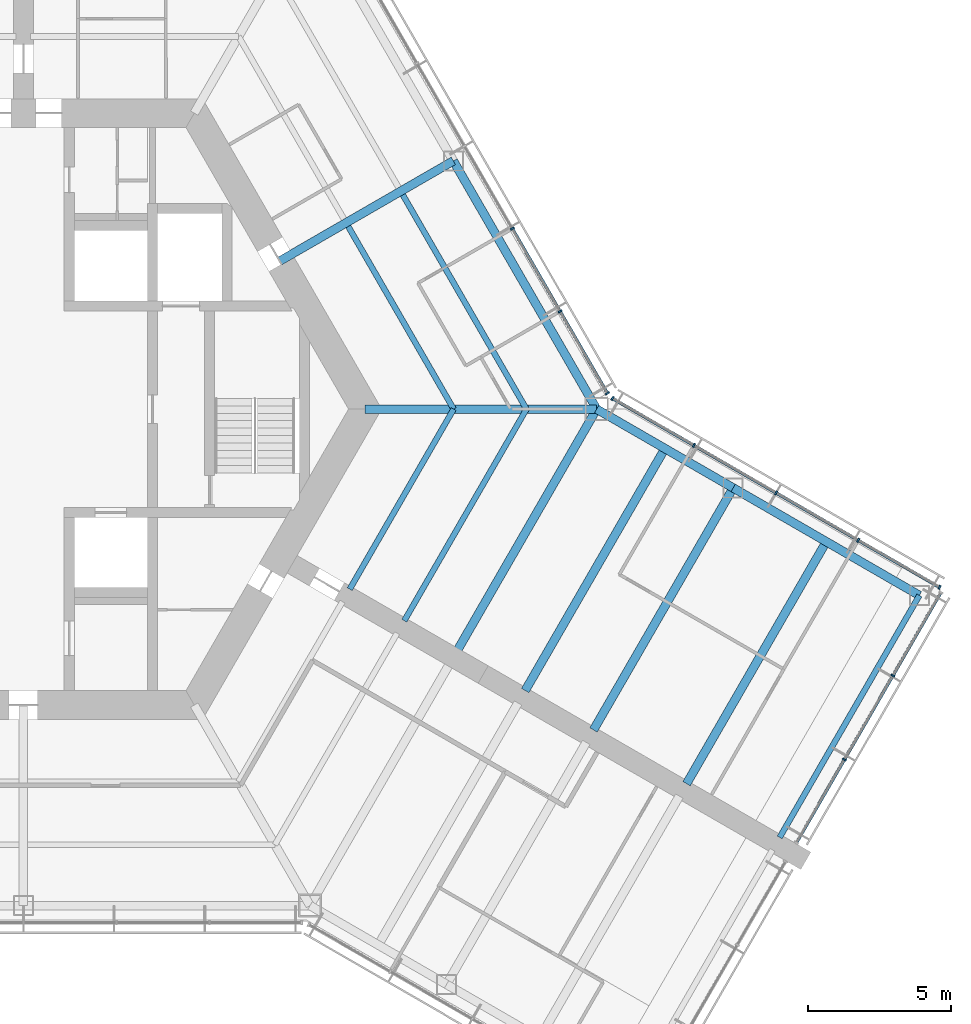
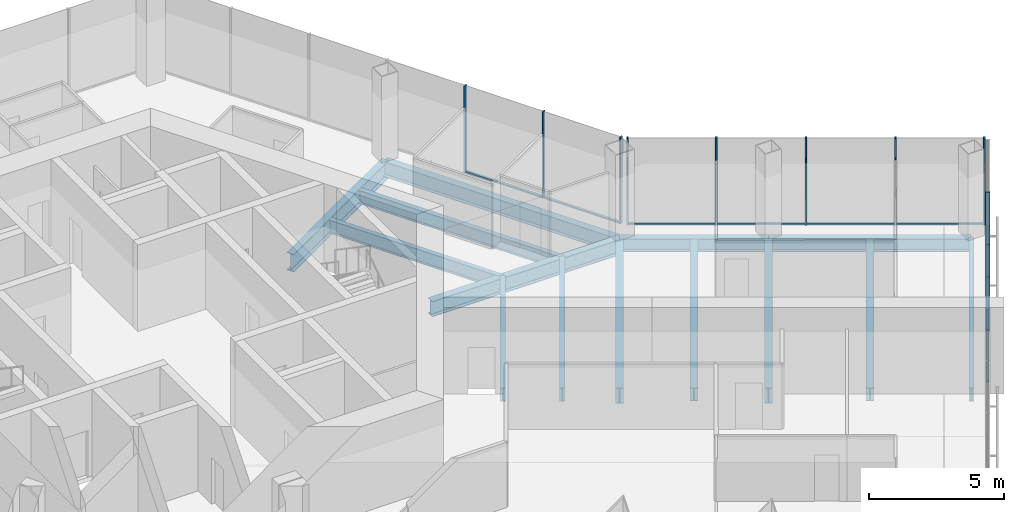
# One storey, part 6 of 18: 19 members, 14 beams, 3 elements without a shape of their own.
"""IFC4 building model written with IfcOpenShell, lengths in metres."""

from ifc_helpers import new_model, si_unit, direction, frame, origin, origin_2d, place, context, subcontext, project, spatial, rectangle, i_section, extrude, material, material_profile, profile_set, type_object, element, aggregate, save


model = new_model("IFC4")

# Units and contexts
model_context = context("Model", 3, precision=1e-05, world=origin(), true_north=direction((0.0, 1.0)))
body_context = subcontext(model_context, "Body", "Model", "MODEL_VIEW")
ifc_project = project(units=[si_unit("LENGTHUNIT", "METRE"), si_unit("AREAUNIT", "SQUARE_METRE"), si_unit("VOLUMEUNIT", "CUBIC_METRE"), si_unit("PLANEANGLEUNIT", "RADIAN"), si_unit("MASSUNIT", "GRAM", prefix="KILO")], contexts=[model_context])

# Site, building, storey
site_placement = place(None, origin())
site = spatial("IfcSite", under=ifc_project, at=site_placement, CompositionType="ELEMENT")
building_placement = place(site_placement, origin())
building = spatial("IfcBuilding", under=site, at=building_placement, Name="Kasaneha Research Tower", CompositionType="ELEMENT")
storey_placement = place(building_placement, frame((0.0, 0.0, 195.5)))
storey = spatial("IfcBuildingStorey", under=building, at=storey_placement, Name="L49", CompositionType="ELEMENT", Elevation=195.5)

# Beams
ifc_material_1 = material(Name="Steel SN490B", Category="steel")
ifc_material_profile_1 = material_profile(ifc_material_1, i_section(OverallWidth=0.199951171875, OverallDepth=0.60009765625, WebThickness=0.010986328125, FlangeThickness=0.01708984375, FilletRadius=0.012939453125, at=origin_2d()), Name="H-600x200x11x17")
ifc_profile_set_1 = profile_set([ifc_material_profile_1], Name="Steel SN490B")
beam_type_1 = type_object("IfcBeamType", Name="B1-3 secondary beam H-600x200x11x17", PredefinedType="JOIST", material=ifc_profile_set_1)
beam_1_placement = place(storey_placement, frame((15.010986328125, 0.0, -0.449951171875), z_axis=(-0.499994443168, 0.866028611999, 0.0), x_axis=(-0.866028611999, -0.499994443168, 0.0)))
element("IfcBeam", 1, at=beam_1_placement, inside=storey, type_object=beam_type_1, Name="Secondary beam RS030L1 L49", PredefinedType="JOIST", context=body_context, shape_type="SweptSolid", body=[
    extrude(i_section(OverallWidth=0.199951171875, OverallDepth=0.60009765625, WebThickness=0.010986328125, FlangeThickness=0.01708984375, FilletRadius=0.012939453125, at=origin_2d()), origin(), (0.0, 0.0, 1.0), 7.35546875),
])
beam_2_placement = place(storey_placement, frame((17.551513671875, 0.0, -0.449951171875), z_axis=(-0.5000050195, 0.866022505755, 0.0), x_axis=(-0.866022505755, -0.5000050195, 0.0)))
element("IfcBeam", 2, at=beam_2_placement, inside=storey, type_object=beam_type_1, Name="Secondary beam RS030L2 L49", PredefinedType="JOIST", context=body_context, shape_type="SweptSolid", body=[
    extrude(i_section(OverallWidth=0.199951171875, OverallDepth=0.60009765625, WebThickness=0.010986328125, FlangeThickness=0.01708984375, FilletRadius=0.012939453125, at=origin_2d()), origin(), (0.0, 0.0, 1.0), 8.6259765625),
])
beam_3_placement = place(storey_placement, frame((15.010986328125, 0.0, -0.449951171875), z_axis=(-0.499993340521, -0.866029248602, 0.0), x_axis=(0.866029248602, -0.499993340521, 0.0)))
element("IfcBeam", 3, at=beam_3_placement, inside=storey, type_object=beam_type_1, Name="Secondary beam RS330R1 L49", PredefinedType="JOIST", context=body_context, shape_type="SweptSolid", body=[
    extrude(i_section(OverallWidth=0.199951171875, OverallDepth=0.60009765625, WebThickness=0.010986328125, FlangeThickness=0.01708984375, FilletRadius=0.012939453125, at=origin_2d()), origin(), (0.0, 0.0, 1.0), 7.25537109375),
])
beam_4_placement = place(storey_placement, frame((17.551513671875, 0.0, -0.449951171875), z_axis=(-0.500004205306, -0.866022975836, 0.0), x_axis=(0.866022975836, -0.500004205306, 0.0)))
element("IfcBeam", 4, at=beam_4_placement, inside=storey, type_object=beam_type_1, Name="Secondary beam RS330R2 L49", PredefinedType="JOIST", context=body_context, shape_type="SweptSolid", body=[
    extrude(i_section(OverallWidth=0.199951171875, OverallDepth=0.60009765625, WebThickness=0.010986328125, FlangeThickness=0.01708984375, FilletRadius=0.012939453125, at=origin_2d()), origin(), (0.0, 0.0, 1.0), 8.52587890625),
])
ifc_material_2 = material(Name="Steel SN490B", Category="steel")
ifc_material_profile_2 = material_profile(ifc_material_2, i_section(OverallWidth=0.300048828125, OverallDepth=0.58203125, WebThickness=0.011962890625, FlangeThickness=0.01708984375, FilletRadius=0.012939453125, at=origin_2d()), Name="H-582x300x12x17")
ifc_profile_set_2 = profile_set([ifc_material_profile_2], Name="Steel SN490B")
beam_type_2 = type_object("IfcBeamType", Name="B2-3 secondary beam H-582x300x12x17", PredefinedType="JOIST", material=ifc_profile_set_2)
for number, where, z_axis, x_axis, name in (
    (5, (22.381591796875, -1.375, -0.44091796875), (-0.499995560238, -0.866027967067, 0.0), (0.866027967067, -0.499995560238, 0.0), "Secondary beam WBCN1 L49"),
    (6, (28.0107421875, -4.625, -0.44091796875), (-0.499995560238, -0.866027967067, 0.0), (0.866027967067, -0.499995560238, 0.0), "Secondary beam WBCN2 L49"),
):
    element("IfcBeam", number, at=place(storey_placement, frame(where, z_axis=z_axis, x_axis=x_axis)), inside=storey, type_object=beam_type_2, Name=name, PredefinedType="JOIST", context=body_context, shape_type="SweptSolid", body=[
        extrude(i_section(OverallWidth=0.300048828125, OverallDepth=0.58203125, WebThickness=0.011962890625, FlangeThickness=0.01708984375, FilletRadius=0.012939453125, at=origin_2d()), origin(), (0.0, 0.0, 1.0), 9.75),
    ])

# Curtain wall, members
ifc_material_3 = material(Name="Glass and aluminium", Category="aluminium")
curtain_wall_type = type_object("IfcCurtainWallType", Name="Mid-rise office curtain wall", PredefinedType="USERDEFINED", material=ifc_material_3)
curtain_wall_1_placement = place(storey_placement, origin())
curtain_wall_1 = element("IfcCurtainWall", 7, at=curtain_wall_1_placement, inside=storey, type_object=curtain_wall_type, Name="CW-O2 L49 run 04a", ObjectType="UNITISED CURTAIN WALL", PredefinedType="USERDEFINED")
ifc_material_4 = material(Name="Aluminium 6063-T6", Category="aluminium")
ifc_material_profile_3 = material_profile(ifc_material_4, rectangle(XDim=0.06005859375, YDim=0.14990234375, at=origin_2d()), Name="CW-O2 mullion 60x150")
ifc_profile_set_3 = profile_set([ifc_material_profile_3], Name="Aluminium 6063-T6")
member_type_1 = type_object("IfcMemberType", Name="CW-O2 mullion", PredefinedType="MULLION", material=ifc_profile_set_3)
member_1_placement = place(storey_placement, frame((28.64453125, -12.22705078125, 0.0), z_axis=(0.0, 0.0, 1.0), x_axis=(0.500000011442, 0.866025397178, 0.0)))
member_1 = element("IfcMember", 8, at=member_1_placement, type_object=member_type_1, Name="CW-O2 mullion 2", PredefinedType="MULLION", context=body_context, shape_type="SweptSolid", body=[
    extrude(rectangle(XDim=0.06005859375, YDim=0.14990234375, at=origin_2d()), origin(), (0.0, 0.0, 1.0), 3.89990234375),
])
member_2_placement = place(storey_placement, frame((30.336181640625, -9.297119140625, 0.0), z_axis=(0.0, 0.0, 1.0), x_axis=(0.500000011442, 0.866025397178, 0.0)))
member_2 = element("IfcMember", 9, at=member_2_placement, type_object=member_type_1, Name="CW-O2 mullion 3", PredefinedType="MULLION", context=body_context, shape_type="SweptSolid", body=[
    extrude(rectangle(XDim=0.06005859375, YDim=0.14990234375, at=origin_2d()), origin(), (0.0, 0.0, 1.0), 3.89990234375),
])

curtain_wall_2_placement = place(storey_placement, origin())
curtain_wall_2 = element("IfcCurtainWall", 10, at=curtain_wall_2_placement, inside=storey, type_object=curtain_wall_type, Name="CW-O2 L49 run 05a", ObjectType="UNITISED CURTAIN WALL", PredefinedType="USERDEFINED")
member_3_placement = place(storey_placement, frame((31.96533203125, -6.21533203125, 0.0), z_axis=(0.0, 0.0, 1.0), x_axis=(-0.866025411464, 0.499999986699, 0.0)))
member_3 = element("IfcMember", 11, at=member_3_placement, type_object=member_type_1, Name="CW-O2 mullion 1", PredefinedType="MULLION", context=body_context, shape_type="SweptSolid", body=[
    extrude(rectangle(XDim=0.06005859375, YDim=0.14990234375, at=origin_2d()), origin(), (0.0, 0.0, 1.0), 3.89990234375),
])
member_4_placement = place(storey_placement, frame((29.125, -4.575439453125, 0.0), z_axis=(0.0, 0.0, 1.0), x_axis=(-0.866025411464, 0.499999986699, 0.0)))
member_4 = element("IfcMember", 12, at=member_4_placement, type_object=member_type_1, Name="CW-O2 mullion 2", PredefinedType="MULLION", context=body_context, shape_type="SweptSolid", body=[
    extrude(rectangle(XDim=0.06005859375, YDim=0.14990234375, at=origin_2d()), origin(), (0.0, 0.0, 1.0), 3.89990234375),
])
member_5_placement = place(storey_placement, frame((26.258544921875, -2.920654296875, 0.0), z_axis=(0.0, 0.0, 1.0), x_axis=(-0.866025411464, 0.499999986699, 0.0)))
member_5 = element("IfcMember", 13, at=member_5_placement, type_object=member_type_1, Name="CW-O2 mullion 3", PredefinedType="MULLION", context=body_context, shape_type="SweptSolid", body=[
    extrude(rectangle(XDim=0.06005859375, YDim=0.14990234375, at=origin_2d()), origin(), (0.0, 0.0, 1.0), 3.89990234375),
])
member_6_placement = place(storey_placement, frame((23.39208984375, -1.265625, 0.0), z_axis=(0.0, 0.0, 1.0), x_axis=(-0.866025411464, 0.499999986699, 0.0)))
member_6 = element("IfcMember", 14, at=member_6_placement, type_object=member_type_1, Name="CW-O2 mullion 4", PredefinedType="MULLION", context=body_context, shape_type="SweptSolid", body=[
    extrude(rectangle(XDim=0.06005859375, YDim=0.14990234375, at=origin_2d()), origin(), (0.0, 0.0, 1.0), 3.89990234375),
])
member_7_placement = place(storey_placement, frame((20.5517578125, 0.374267578125, 0.0), z_axis=(0.0, 0.0, 1.0), x_axis=(-0.866025411464, 0.499999986699, 0.0)))
member_7 = element("IfcMember", 15, at=member_7_placement, type_object=member_type_1, Name="CW-O2 mullion 5", PredefinedType="MULLION", context=body_context, shape_type="SweptSolid", body=[
    extrude(rectangle(XDim=0.06005859375, YDim=0.14990234375, at=origin_2d()), origin(), (0.0, 0.0, 1.0), 3.89990234375),
])

curtain_wall_3_placement = place(storey_placement, origin())
curtain_wall_3 = element("IfcCurtainWall", 16, at=curtain_wall_3_placement, inside=storey, type_object=curtain_wall_type, Name="CW-O2 L49 run 06a", ObjectType="UNITISED CURTAIN WALL", PredefinedType="USERDEFINED")
member_8_placement = place(storey_placement, frame((20.374267578125, 0.5517578125, 0.0), z_axis=(0.0, 0.0, 1.0), x_axis=(-0.499999979232, 0.866025415775, 0.0)))
member_8 = element("IfcMember", 17, at=member_8_placement, type_object=member_type_1, Name="CW-O2 mullion 1", PredefinedType="MULLION", context=body_context, shape_type="SweptSolid", body=[
    extrude(rectangle(XDim=0.06005859375, YDim=0.14990234375, at=origin_2d()), origin(), (0.0, 0.0, 1.0), 3.89990234375),
])
member_9_placement = place(storey_placement, frame((18.723876953125, 3.410400390625, 0.0), z_axis=(0.0, 0.0, 1.0), x_axis=(-0.499999979232, 0.866025415775, 0.0)))
member_9 = element("IfcMember", 18, at=member_9_placement, type_object=member_type_1, Name="CW-O2 mullion 2", PredefinedType="MULLION", context=body_context, shape_type="SweptSolid", body=[
    extrude(rectangle(XDim=0.06005859375, YDim=0.14990234375, at=origin_2d()), origin(), (0.0, 0.0, 1.0), 3.89990234375),
])
member_10_placement = place(storey_placement, frame((17.058349609375, 6.295166015625, 0.0), z_axis=(0.0, 0.0, 1.0), x_axis=(-0.499999979232, 0.866025415775, 0.0)))
member_10 = element("IfcMember", 19, at=member_10_placement, type_object=member_type_1, Name="CW-O2 mullion 3", PredefinedType="MULLION", context=body_context, shape_type="SweptSolid", body=[
    extrude(rectangle(XDim=0.06005859375, YDim=0.14990234375, at=origin_2d()), origin(), (0.0, 0.0, 1.0), 3.89990234375),
])

# Member
ifc_material_5 = material(Name="Aluminium 6063-T6", Category="aluminium")
ifc_material_profile_4 = material_profile(ifc_material_5, rectangle(XDim=0.110107421875, YDim=0.06005859375, at=origin_2d()), Name="CW-O2 transom 110x60")
ifc_profile_set_4 = profile_set([ifc_material_profile_4], Name="Aluminium 6063-T6")
member_type_2 = type_object("IfcMemberType", Name="CW-O2 transom", PredefinedType="USERDEFINED", material=ifc_profile_set_4)
member_11_placement = place(storey_placement, frame((26.98291015625, -15.105224609375, 0.030029296875), z_axis=(0.500021914551, 0.866012751043, 0.0), x_axis=(-0.866012751043, 0.500021914551, 0.0)))
member_11 = element("IfcMember", 20, at=member_11_placement, type_object=member_type_2, Name="CW-O2 transom 1", ObjectType="TRANSOM", PredefinedType="USERDEFINED", context=body_context, shape_type="SweptSolid", body=[
    extrude(rectangle(XDim=0.110107421875, YDim=0.06005859375, at=origin_2d()), origin(), (0.0, 0.0, 1.0), 3.293212890625),
])

member_12_placement = place(storey_placement, frame((28.65966796875, -12.201171875, 0.030029296875), z_axis=(0.499978935311, 0.866037565146, 0.0), x_axis=(-0.866037565146, 0.499978935311, 0.0)))
member_12 = element("IfcMember", 21, at=member_12_placement, type_object=member_type_2, Name="CW-O2 transom 2", ObjectType="TRANSOM", PredefinedType="USERDEFINED", context=body_context, shape_type="SweptSolid", body=[
    extrude(rectangle(XDim=0.110107421875, YDim=0.06005859375, at=origin_2d()), origin(), (0.0, 0.0, 1.0), 3.323486328125),
])

member_13_placement = place(storey_placement, frame((30.351318359375, -9.27099609375, 0.030029296875), z_axis=(0.500021914551, 0.866012751043, 0.0), x_axis=(-0.866012751043, 0.500021914551, 0.0)))
member_13 = element("IfcMember", 22, at=member_13_placement, type_object=member_type_2, Name="CW-O2 transom 3", ObjectType="TRANSOM", PredefinedType="USERDEFINED", context=body_context, shape_type="SweptSolid", body=[
    extrude(rectangle(XDim=0.110107421875, YDim=0.06005859375, at=origin_2d()), origin(), (0.0, 0.0, 1.0), 3.293212890625),
])

aggregate(curtain_wall_1, [member_1, member_2, member_11, member_12, member_13])

member_14_placement = place(storey_placement, frame((31.939453125, -6.200439453125, 0.030029296875), z_axis=(-0.866041647767, 0.499971863542, 0.0), x_axis=(-0.499971863542, -0.866041647767, 0.0)))
member_14 = element("IfcMember", 23, at=member_14_placement, type_object=member_type_2, Name="CW-O2 transom 1", ObjectType="TRANSOM", PredefinedType="USERDEFINED", context=body_context, shape_type="SweptSolid", body=[
    extrude(rectangle(XDim=0.110107421875, YDim=0.06005859375, at=origin_2d()), origin(), (0.0, 0.0, 1.0), 3.219970703125),
])

member_15_placement = place(storey_placement, frame((29.098876953125, -4.560546875, 0.030029296875), z_axis=(-0.86599666273, 0.500049777664, 0.0), x_axis=(-0.500049777664, -0.86599666273, 0.0)))
member_15 = element("IfcMember", 24, at=member_15_placement, type_object=member_type_2, Name="CW-O2 transom 2", ObjectType="TRANSOM", PredefinedType="USERDEFINED", context=body_context, shape_type="SweptSolid", body=[
    extrude(rectangle(XDim=0.110107421875, YDim=0.06005859375, at=origin_2d()), origin(), (0.0, 0.0, 1.0), 3.249755859375),
])

member_16_placement = place(storey_placement, frame((26.232666015625, -2.905517578125, 0.030029296875), z_axis=(-0.86604797581, 0.499960902066, 0.0), x_axis=(-0.499960902066, -0.86604797581, 0.0)))
member_16 = element("IfcMember", 25, at=member_16_placement, type_object=member_type_2, Name="CW-O2 transom 3", ObjectType="TRANSOM", PredefinedType="USERDEFINED", context=body_context, shape_type="SweptSolid", body=[
    extrude(rectangle(XDim=0.110107421875, YDim=0.06005859375, at=origin_2d()), origin(), (0.0, 0.0, 1.0), 3.249755859375),
])

member_17_placement = place(storey_placement, frame((23.3662109375, -1.250732421875, 0.030029296875), z_axis=(-0.866022692473, 0.500004696101, 0.0), x_axis=(-0.500004696101, -0.866022692473, 0.0)))
member_17 = element("IfcMember", 26, at=member_17_placement, type_object=member_type_2, Name="CW-O2 transom 4", ObjectType="TRANSOM", PredefinedType="USERDEFINED", context=body_context, shape_type="SweptSolid", body=[
    extrude(rectangle(XDim=0.110107421875, YDim=0.06005859375, at=origin_2d()), origin(), (0.0, 0.0, 1.0), 3.2197265625),
])

aggregate(curtain_wall_2, [member_3, member_4, member_5, member_6, member_7, member_14, member_15, member_16, member_17])

member_18_placement = place(storey_placement, frame((20.359130859375, 0.577880859375, 0.030029296875), z_axis=(-0.499987643696, 0.866032537582, 0.0), x_axis=(-0.866032537582, -0.499987643696, 0.0)))
member_18 = element("IfcMember", 27, at=member_18_placement, type_object=member_type_2, Name="CW-O2 transom 1", ObjectType="TRANSOM", PredefinedType="USERDEFINED", context=body_context, shape_type="SweptSolid", body=[
    extrude(rectangle(XDim=0.110107421875, YDim=0.06005859375, at=origin_2d()), origin(), (0.0, 0.0, 1.0), 3.24072265625),
])

member_19_placement = place(storey_placement, frame((18.708740234375, 3.4365234375, 0.030029296875), z_axis=(-0.500000270186, 0.866025247793, 0.0), x_axis=(-0.866025247793, -0.500000270186, 0.0)))
member_19 = element("IfcMember", 28, at=member_19_placement, type_object=member_type_2, Name="CW-O2 transom 2", ObjectType="TRANSOM", PredefinedType="USERDEFINED", context=body_context, shape_type="SweptSolid", body=[
    extrude(rectangle(XDim=0.110107421875, YDim=0.06005859375, at=origin_2d()), origin(), (0.0, 0.0, 1.0), 3.27099609375),
])

aggregate(curtain_wall_3, [member_8, member_9, member_10, member_18, member_19])

# Beams
ifc_material_6 = material(Name="Steel SN490B", Category="steel")
ifc_material_profile_5 = material_profile(ifc_material_6, i_section(OverallWidth=0.300048828125, OverallDepth=0.699951171875, WebThickness=0.012939453125, FlangeThickness=0.02392578125, FilletRadius=0.01806640625, at=origin_2d()), Name="H-700x300x13x24")
ifc_profile_set_5 = profile_set([ifc_material_profile_5], Name="Steel SN490B")
beam_type_3 = type_object("IfcBeamType", Name="G1-3 radial girder H-700x300x13x24", PredefinedType="BEAM", material=ifc_profile_set_5)
beam_5_placement = place(storey_placement, frame((11.92236328125, 0.0, -0.5), z_axis=(1.0, 0.0, 0.0), x_axis=(0.0, 1.0, 0.0)))
element("IfcBeam", 29, at=beam_5_placement, inside=storey, type_object=beam_type_3, Name="Radial girder RV000 L49", PredefinedType="BEAM", context=body_context, shape_type="SweptSolid", body=[
    extrude(i_section(OverallWidth=0.300048828125, OverallDepth=0.699951171875, WebThickness=0.012939453125, FlangeThickness=0.02392578125, FilletRadius=0.01806640625, at=origin_2d()), origin(), (0.0, 0.0, 1.0), 8.07763671875),
])
ifc_material_7 = material(Name="Steel SN490B", Category="steel")
ifc_material_profile_6 = material_profile(ifc_material_7, i_section(OverallWidth=0.300048828125, OverallDepth=0.800048828125, WebThickness=0.013916015625, FlangeThickness=0.02587890625, FilletRadius=0.01806640625, at=origin_2d()), Name="H-800x300x14x26")
ifc_profile_set_6 = profile_set([ifc_material_profile_6], Name="Steel SN490B")
beam_type_4 = type_object("IfcBeamType", Name="G2-3 radial girder H-800x300x14x26", PredefinedType="BEAM", material=ifc_profile_set_6)
beam_6_placement = place(storey_placement, frame((8.941650390625, 5.16259765625, -0.550048828125), z_axis=(0.866039713508, 0.499975214012, 0.0), x_axis=(-0.499975214012, 0.866039713508, 0.0)))
element("IfcBeam", 30, at=beam_6_placement, inside=storey, type_object=beam_type_4, Name="Radial girder RM030 L49", PredefinedType="BEAM", context=body_context, shape_type="SweptSolid", body=[
    extrude(i_section(OverallWidth=0.300048828125, OverallDepth=0.800048828125, WebThickness=0.013916015625, FlangeThickness=0.02587890625, FilletRadius=0.01806640625, at=origin_2d()), origin(), (0.0, 0.0, 1.0), 6.995361328125),
])
ifc_material_8 = material(Name="Steel SN490B", Category="steel")
ifc_material_profile_7 = material_profile(ifc_material_8, i_section(OverallWidth=0.300048828125, OverallDepth=0.69189453125, WebThickness=0.012939453125, FlangeThickness=0.02001953125, FilletRadius=0.01806640625, at=origin_2d()), Name="H-692x300x13x20")
ifc_profile_set_7 = profile_set([ifc_material_profile_7], Name="Steel SN490B")
beam_type_5 = type_object("IfcBeamType", Name="G3-3 plate edge girder H-692x300x13x20", PredefinedType="BEAM", material=ifc_profile_set_7)
beam_7_placement = place(storey_placement, frame((20.0, 0.0, -0.49609375), z_axis=(-0.499995560238, -0.866027967067, 0.0), x_axis=(0.866027967067, -0.499995560238, 0.0)))
element("IfcBeam", 31, at=beam_7_placement, inside=storey, type_object=beam_type_5, Name="Plate edge girder PECN L49", PredefinedType="BEAM", context=body_context, shape_type="SweptSolid", body=[
    extrude(i_section(OverallWidth=0.300048828125, OverallDepth=0.69189453125, WebThickness=0.012939453125, FlangeThickness=0.02001953125, FilletRadius=0.01806640625, at=origin_2d()), origin(), (0.0, 0.0, 1.0), 9.75),
])
ifc_material_9 = material(Name="Steel SN490B", Category="steel")
ifc_material_profile_8 = material_profile(ifc_material_9, i_section(OverallWidth=0.300048828125, OverallDepth=0.699951171875, WebThickness=0.012939453125, FlangeThickness=0.02392578125, FilletRadius=0.01806640625, at=origin_2d()), Name="H-700x300x13x24")
ifc_profile_set_8 = profile_set([ifc_material_profile_8], Name="Steel SN490B")
beam_type_6 = type_object("IfcBeamType", Name="G4-3 wing girder H-700x300x13x24", PredefinedType="BEAM", material=ifc_profile_set_8)
beam_8_placement = place(storey_placement, frame((24.76318359375, -2.75, -0.5), z_axis=(-0.499995560238, -0.866027967067, 0.0), x_axis=(0.866027967067, -0.499995560238, 0.0)))
element("IfcBeam", 32, at=beam_8_placement, inside=storey, type_object=beam_type_6, Name="Wing girder WGCN L49", PredefinedType="BEAM", context=body_context, shape_type="SweptSolid", body=[
    extrude(i_section(OverallWidth=0.300048828125, OverallDepth=0.699951171875, WebThickness=0.012939453125, FlangeThickness=0.02392578125, FilletRadius=0.01806640625, at=origin_2d()), origin(), (0.0, 0.0, 1.0), 9.75),
])
ifc_material_10 = material(Name="Steel SN490B", Category="steel")
ifc_material_profile_9 = material_profile(ifc_material_10, i_section(OverallWidth=0.300048828125, OverallDepth=0.69189453125, WebThickness=0.012939453125, FlangeThickness=0.02001953125, FilletRadius=0.01806640625, at=origin_2d()), Name="H-692x300x13x20")
ifc_profile_set_9 = profile_set([ifc_material_profile_9], Name="Steel SN490B")
beam_type_7 = type_object("IfcBeamType", Name="SB1-3 spandrel beam H-692x300x13x20", PredefinedType="SPANDREL", material=ifc_profile_set_9)
beam_9_placement = place(storey_placement, frame((20.0, 0.0, -0.49609375), z_axis=(-0.500004234368, 0.866022959057, 0.0), x_axis=(-0.866022959057, -0.500004234368, 0.0)))
element("IfcBeam", 33, at=beam_9_placement, inside=storey, type_object=beam_type_7, Name="Spandrel beam SR030L L49", PredefinedType="SPANDREL", context=body_context, shape_type="SweptSolid", body=[
    extrude(i_section(OverallWidth=0.300048828125, OverallDepth=0.69189453125, WebThickness=0.012939453125, FlangeThickness=0.02001953125, FilletRadius=0.01806640625, at=origin_2d()), origin(), (0.0, 0.0, 1.0), 10.0),
])
ifc_material_11 = material(Name="Steel SN490B", Category="steel")
ifc_material_profile_10 = material_profile(ifc_material_11, i_section(OverallWidth=0.300048828125, OverallDepth=0.58203125, WebThickness=0.011962890625, FlangeThickness=0.01708984375, FilletRadius=0.012939453125, at=origin_2d()), Name="H-582x300x12x17")
ifc_profile_set_10 = profile_set([ifc_material_profile_10], Name="Steel SN490B")
beam_type_8 = type_object("IfcBeamType", Name="SB2-3 spandrel beam H-582x300x12x17", PredefinedType="SPANDREL", material=ifc_profile_set_10)
beam_10_placement = place(storey_placement, frame((20.0, 0.0, -0.44091796875), z_axis=(0.866027397988, -0.499996545922, 0.0), x_axis=(0.499996545922, 0.866027397988, 0.0)))
element("IfcBeam", 34, at=beam_10_placement, inside=storey, type_object=beam_type_8, Name="Spandrel beam WSCN1 L49", PredefinedType="SPANDREL", context=body_context, shape_type="SweptSolid", body=[
    extrude(i_section(OverallWidth=0.300048828125, OverallDepth=0.58203125, WebThickness=0.011962890625, FlangeThickness=0.01708984375, FilletRadius=0.012939453125, at=origin_2d()), origin(), (0.0, 0.0, 1.0), 5.5),
])
beam_11_placement = place(storey_placement, frame((24.76318359375, -2.75, -0.44091796875), z_axis=(0.866022959057, -0.500004234368, 0.0), x_axis=(0.500004234368, 0.866022959057, 0.0)))
element("IfcBeam", 35, at=beam_11_placement, inside=storey, type_object=beam_type_8, Name="Spandrel beam WSCN2 L49", PredefinedType="SPANDREL", context=body_context, shape_type="SweptSolid", body=[
    extrude(i_section(OverallWidth=0.300048828125, OverallDepth=0.58203125, WebThickness=0.011962890625, FlangeThickness=0.01708984375, FilletRadius=0.012939453125, at=origin_2d()), origin(), (0.0, 0.0, 1.0), 7.5),
])
ifc_material_12 = material(Name="Steel SN490B", Category="steel")
ifc_material_profile_11 = material_profile(ifc_material_12, i_section(OverallWidth=0.199951171875, OverallDepth=0.60009765625, WebThickness=0.010986328125, FlangeThickness=0.01708984375, FilletRadius=0.012939453125, at=origin_2d()), Name="H-600x200x11x17")
ifc_profile_set_11 = profile_set([ifc_material_profile_11], Name="Steel SN490B")
beam_type_9 = type_object("IfcBeamType", Name="SB3-3 spandrel beam H-600x200x11x17", PredefinedType="SPANDREL", material=ifc_profile_set_11)
beam_12_placement = place(storey_placement, frame((31.25830078125, -6.5, -0.449951171875), z_axis=(-0.499995560238, -0.866027967067, 0.0), x_axis=(0.866027967067, -0.499995560238, 0.0)))
element("IfcBeam", 36, at=beam_12_placement, inside=storey, type_object=beam_type_9, Name="Spandrel beam WTCN L49", PredefinedType="SPANDREL", context=body_context, shape_type="SweptSolid", body=[
    extrude(i_section(OverallWidth=0.199951171875, OverallDepth=0.60009765625, WebThickness=0.010986328125, FlangeThickness=0.01708984375, FilletRadius=0.012939453125, at=origin_2d()), origin(), (0.0, 0.0, 1.0), 9.75),
])

save(model, "model.ifc")
